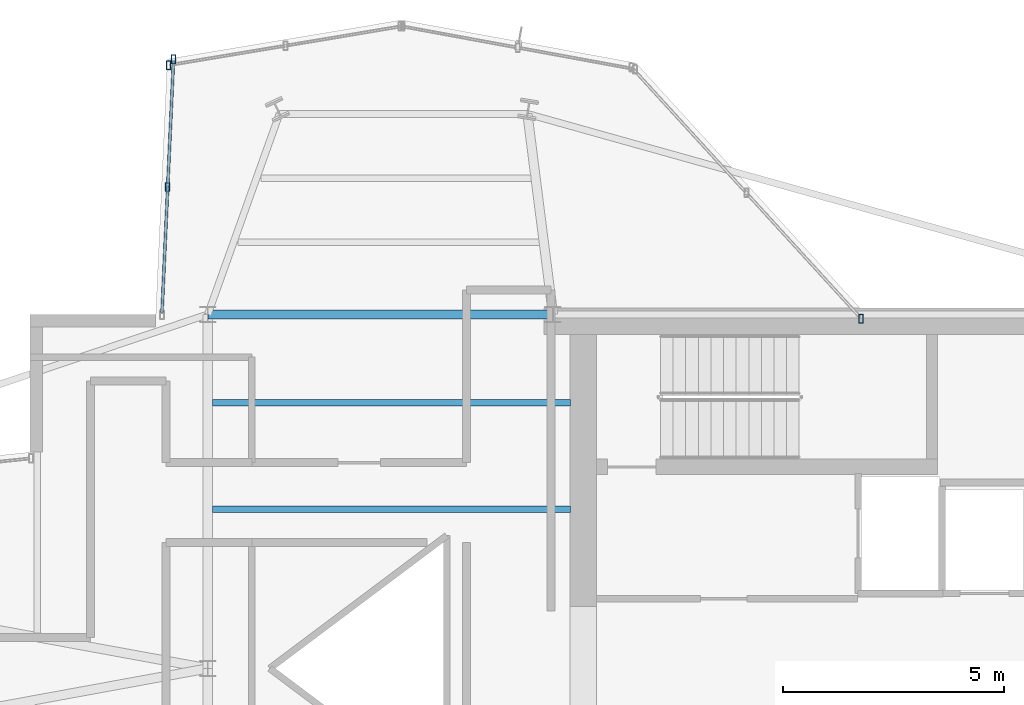
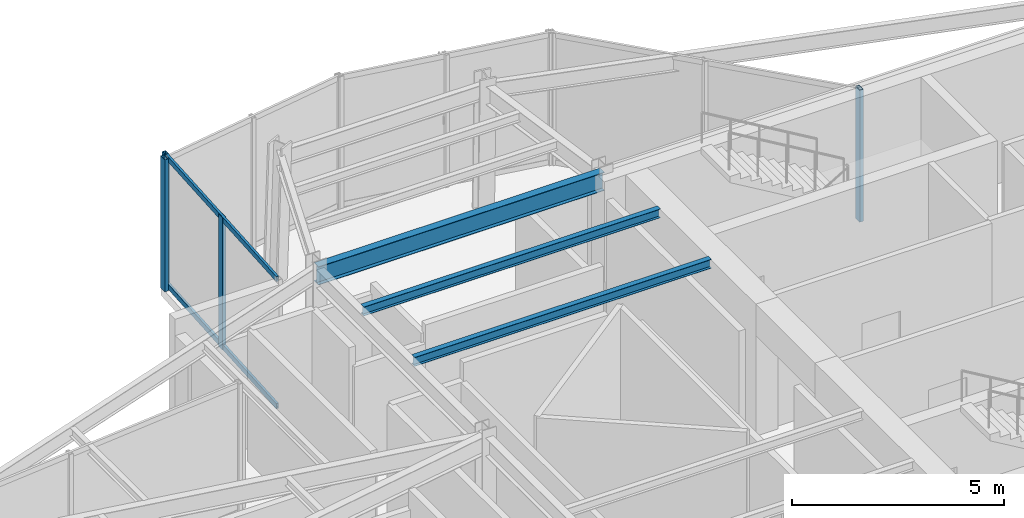
# One storey, part 5 of 13: 6 members, 3 beams, 3 elements without a shape of their own.
"""IFC4 building model written with IfcOpenShell, lengths in metres."""

from ifc_helpers import new_model, si_unit, direction, frame, origin, origin_2d, place, context, subcontext, project, spatial, hollow_rectangle, i_section, extrude, material, layer, layer_set, material_profile, profile_set, type_object, element, aggregate, save


model = new_model("IFC4")

# Units and contexts
model_context = context("Model", 3, precision=1e-05, world=origin(), true_north=direction((0.0, 1.0)))
body_context = subcontext(model_context, "Body", "Model", "MODEL_VIEW")
ifc_project = project(units=[si_unit("LENGTHUNIT", "METRE"), si_unit("AREAUNIT", "SQUARE_METRE"), si_unit("VOLUMEUNIT", "CUBIC_METRE"), si_unit("PLANEANGLEUNIT", "RADIAN"), si_unit("MASSUNIT", "GRAM", prefix="KILO")], contexts=[model_context])

# Site, building, storey
site_placement = place(None, origin())
site = spatial("IfcSite", under=ifc_project, at=site_placement, CompositionType="ELEMENT")
building_placement = place(site_placement, origin())
building = spatial("IfcBuilding", under=site, at=building_placement, Name="Veymaron Broadcast Tower", CompositionType="ELEMENT")
storey_placement = place(building_placement, frame((0.0, 0.0, 287.10009765625)))
storey = spatial("IfcBuildingStorey", under=building, at=storey_placement, Name="L67", CompositionType="ELEMENT", Elevation=287.10009765625)

# Beams
ifc_material_1 = material(Name="Structural steel ASTM A992 Gr 50", Category="steel")
ifc_material_profile_1 = material_profile(ifc_material_1, i_section(OverallWidth=0.208984375, OverallDepth=0.528076171875, WebThickness=0.009521484375, FlangeThickness=0.01318359375, at=origin_2d()), Name="W530X82")
ifc_profile_set_1 = profile_set([ifc_material_profile_1], Name="Structural steel ASTM A992 Gr 50")
beam_type_1 = type_object("IfcBeamType", Name="BM-FG4", PredefinedType="BEAM", material=ifc_profile_set_1)
beam_placement = place(storey_placement, frame((31.199951171875, 32.0, 3.5458984375), z_axis=(1.0, 0.0, 0.0), x_axis=(0.0, 1.0, 0.0)))
element("IfcBeam", 1, at=beam_placement, inside=storey, type_object=beam_type_1, Name="L67 primary structural floor girder", PredefinedType="BEAM", context=body_context, shape_type="SweptSolid", body=[
    extrude(i_section(OverallWidth=0.208984375, OverallDepth=0.528076171875, WebThickness=0.009521484375, FlangeThickness=0.01318359375, at=origin_2d()), origin(), (0.0, 0.0, 1.0), 7.800048828125),
])
ifc_material_profile_2 = material_profile(ifc_material_1, i_section(OverallWidth=0.14599609375, OverallDepth=0.258056640625, WebThickness=0.006103515625, FlangeThickness=0.009033203125, at=origin_2d()), Name="W250X33")
ifc_profile_set_2 = profile_set([ifc_material_profile_2], Name="Structural steel ASTM A992 Gr 50")
beam_type_2 = type_object("IfcBeamType", Name="BM-JS4", PredefinedType="JOIST", material=ifc_profile_set_2)
for number, where, z_axis, x_axis, name in (
    (2, (31.300048828125, 27.60009765625, 3.680908203125), (1.0, 0.0, 0.0), (0.0, 1.0, 0.0), "L67 Hub secondary joist 3"),
    (3, (31.300048828125, 30.0, 3.680908203125), (1.0, 0.0, 0.0), (0.0, 1.0, 0.0), "L67 Hub secondary joist 4"),
):
    element("IfcBeam", number, at=place(storey_placement, frame(where, z_axis=z_axis, x_axis=x_axis)), inside=storey, type_object=beam_type_2, Name=name, PredefinedType="JOIST", context=body_context, shape_type="SweptSolid", body=[
        extrude(i_section(OverallWidth=0.14599609375, OverallDepth=0.258056640625, WebThickness=0.006103515625, FlangeThickness=0.009033203125, at=origin_2d()), origin(), (0.0, 0.0, 1.0), 8.099853515625),
    ])

# Curtain wall, member
ifc_material_2 = material(Name="Anodised aluminium AA 6063-T6 and laminated low-E dark glass", Category="aluminium")
ifc_layer = layer(ifc_material_2, 0.179931640625)
ifc_layer_set = layer_set([ifc_layer], Name="Anodised aluminium AA 6063-T6 and laminated low-E dark glass")
curtain_wall_type = type_object("IfcCurtainWallType", Name="CW-SYS-06", PredefinedType="NOTDEFINED", material=ifc_layer_set)
curtain_wall_1_placement = place(storey_placement, origin())
curtain_wall_1 = element("IfcCurtainWall", 4, at=curtain_wall_1_placement, inside=storey, type_object=curtain_wall_type, Name="L67 dark-glass curtain wall CW-L67-E5-1", PredefinedType="NOTDEFINED")
ifc_material_3 = material(Name="Anodised aluminium AA 6063-T6", Category="aluminium")
ifc_material_profile_3 = material_profile(ifc_material_3, hollow_rectangle(XDim=0.10009765625, YDim=0.199951171875, WallThickness=0.010009765625, at=origin_2d()), Name="RHS200X100X10")
ifc_profile_set_3 = profile_set([ifc_material_profile_3], Name="Anodised aluminium AA 6063-T6")
member_type_1 = type_object("IfcMemberType", Name="CW-MUL-01", PredefinedType="MULLION", material=ifc_profile_set_3)
member_1_placement = place(storey_placement, frame((45.965576171875, 31.905517578125, 0.0), z_axis=(0.0, 0.0, 1.0), x_axis=(1.0, 0.0, 0.0)))
member_1 = element("IfcMember", 5, at=member_1_placement, type_object=member_type_1, Name="CW-L67-E5-1 mullion 0", PredefinedType="MULLION", context=body_context, shape_type="SweptSolid", body=[
    extrude(hollow_rectangle(XDim=0.10009765625, YDim=0.199951171875, WallThickness=0.010009765625, at=origin_2d()), origin(), (0.0, 0.0, 1.0), 3.809814453125),
])
aggregate(curtain_wall_1, [member_1])

curtain_wall_2_placement = place(storey_placement, origin())
curtain_wall_2 = element("IfcCurtainWall", 6, at=curtain_wall_2_placement, inside=storey, type_object=curtain_wall_type, Name="L67 dark-glass curtain wall CW-L67-E7-1", PredefinedType="NOTDEFINED")
member_2_placement = place(storey_placement, frame((30.307861328125, 37.631103515625, 0.0), z_axis=(0.0, 0.0, 1.0), x_axis=(1.0, 0.0, 0.0)))
member_2 = element("IfcMember", 7, at=member_2_placement, type_object=member_type_1, Name="CW-L67-E7-1 mullion 2", PredefinedType="MULLION", context=body_context, shape_type="SweptSolid", body=[
    extrude(hollow_rectangle(XDim=0.10009765625, YDim=0.199951171875, WallThickness=0.010009765625, at=origin_2d()), origin(), (0.0, 0.0, 1.0), 3.809814453125),
])
aggregate(curtain_wall_2, [member_2])

# Curtain wall, members
curtain_wall_3_placement = place(storey_placement, origin())
curtain_wall_3 = element("IfcCurtainWall", 8, at=curtain_wall_3_placement, inside=storey, type_object=curtain_wall_type, Name="L67 dark-glass curtain wall CW-L67-E8-1", PredefinedType="NOTDEFINED")
member_3_placement = place(storey_placement, frame((30.4248046875, 37.7626953125, 0.0), z_axis=(0.0, 0.0, 1.0), x_axis=(1.0, 0.0, 0.0)))
member_3 = element("IfcMember", 9, at=member_3_placement, type_object=member_type_1, Name="CW-L67-E8-1 mullion 0", PredefinedType="MULLION", context=body_context, shape_type="SweptSolid", body=[
    extrude(hollow_rectangle(XDim=0.10009765625, YDim=0.199951171875, WallThickness=0.010009765625, at=origin_2d()), origin(), (0.0, 0.0, 1.0), 3.809814453125),
])
member_4_placement = place(storey_placement, frame((30.293212890625, 34.878173828125, 0.0), z_axis=(0.0, 0.0, 1.0), x_axis=(1.0, 0.0, 0.0)))
member_4 = element("IfcMember", 10, at=member_4_placement, type_object=member_type_1, Name="CW-L67-E8-1 mullion 1", PredefinedType="MULLION", context=body_context, shape_type="SweptSolid", body=[
    extrude(hollow_rectangle(XDim=0.10009765625, YDim=0.199951171875, WallThickness=0.010009765625, at=origin_2d()), origin(), (0.0, 0.0, 1.0), 3.809814453125),
])
ifc_material_profile_4 = material_profile(ifc_material_3, hollow_rectangle(XDim=0.06494140625, YDim=0.14990234375, WallThickness=0.00390625, at=origin_2d()), Name="AL150X65X4")
ifc_profile_set_4 = profile_set([ifc_material_profile_4], Name="Anodised aluminium AA 6063-T6")
member_type_2 = type_object("IfcMemberType", Name="CW-TRN-01", PredefinedType="USERDEFINED", material=ifc_profile_set_4)
member_5_placement = place(storey_placement, frame((30.42236328125, 37.712890625, 0.06982421875), z_axis=(-0.045470103559, -0.998965699953, 0.0), x_axis=(0.998965699953, -0.045470103559, 0.0)))
member_5 = element("IfcMember", 11, at=member_5_placement, type_object=member_type_2, Name="CW-L67-E8-1 transom B", ObjectType="TRANSOM", PredefinedType="USERDEFINED", context=body_context, shape_type="SweptSolid", body=[
    extrude(hollow_rectangle(XDim=0.06494140625, YDim=0.14990234375, WallThickness=0.00390625, at=origin_2d()), origin(), (0.0, 0.0, 1.0), 5.67529296875),
])
member_6_placement = place(storey_placement, frame((30.42236328125, 37.712890625, 3.739990234375), z_axis=(-0.045470103559, -0.998965699953, 0.0), x_axis=(0.998965699953, -0.045470103559, 0.0)))
member_6 = element("IfcMember", 12, at=member_6_placement, type_object=member_type_2, Name="CW-L67-E8-1 transom T", ObjectType="TRANSOM", PredefinedType="USERDEFINED", context=body_context, shape_type="SweptSolid", body=[
    extrude(hollow_rectangle(XDim=0.06494140625, YDim=0.14990234375, WallThickness=0.00390625, at=origin_2d()), origin(), (0.0, 0.0, 1.0), 5.67529296875),
])
aggregate(curtain_wall_3, [member_3, member_4, member_5, member_6])

save(model, "model.ifc")
